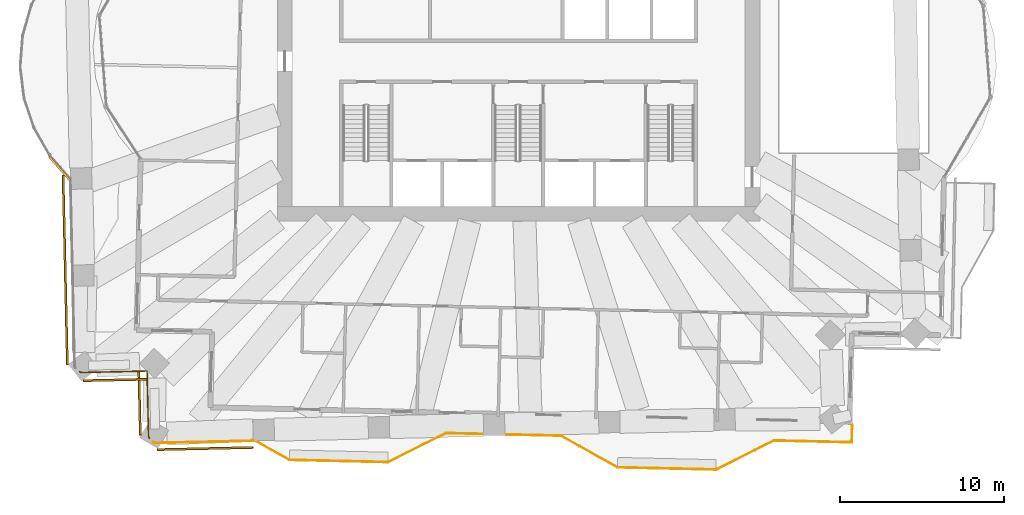
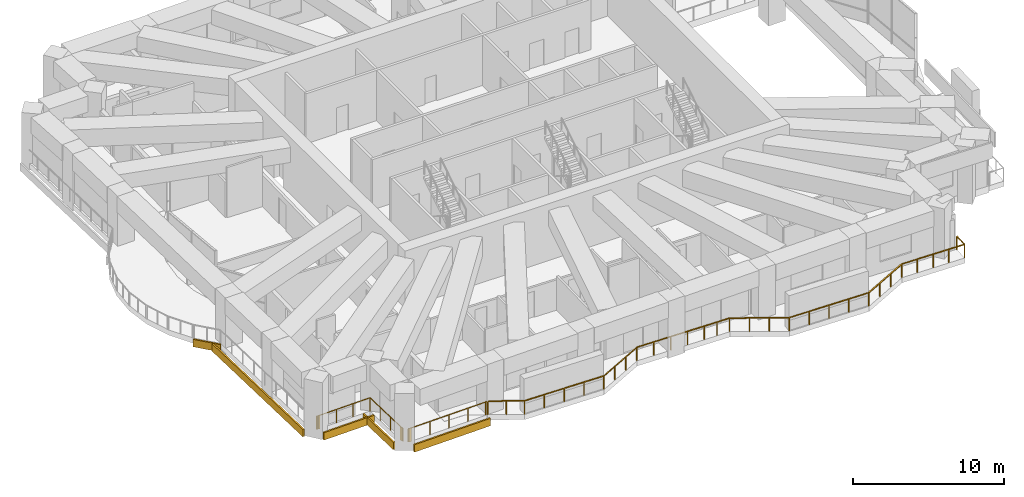
# One storey, part 13 of 17: 5 coverings, 3 railings.
"""IFC4 building model written with IfcOpenShell, lengths in metres."""

from ifc_helpers import new_model, si_unit, direction, frame, frame_2d, origin, origin_2d, place, context, subcontext, project, spatial, rectangle, extrude, material, layer, layer_set, type_object, element, save


model = new_model("IFC4")

# Units and contexts
model_context = context("Model", 3, precision=1e-05, world=origin(), true_north=direction((0.0, 1.0)))
body_context = subcontext(model_context, "Body", "Model", "MODEL_VIEW")
ifc_project = project(units=[si_unit("LENGTHUNIT", "METRE"), si_unit("AREAUNIT", "SQUARE_METRE"), si_unit("VOLUMEUNIT", "CUBIC_METRE"), si_unit("PLANEANGLEUNIT", "RADIAN"), si_unit("MASSUNIT", "GRAM", prefix="KILO")], contexts=[model_context])

# Site, building, storey
site_placement = place(None, origin())
site = spatial("IfcSite", under=ifc_project, at=site_placement, CompositionType="ELEMENT")
building_placement = place(site_placement, origin())
building = spatial("IfcBuilding", under=site, at=building_placement, Name="Mangrove Gate Tower", CompositionType="ELEMENT")
storey_placement = place(building_placement, frame((0.0, 0.0, 148.10009765625)))
storey = spatial("IfcBuildingStorey", under=building, at=storey_placement, Name="L37", CompositionType="ELEMENT", Elevation=148.10009765625)

# Railings
ifc_material_1 = material(Name="Stainless steel grade 316 with laminated glass infill", Category="steel")
railing_type = type_object("IfcRailingType", Name="Balcony guard 1100", PredefinedType="GUARDRAIL", material=ifc_material_1)
railing_1_placement = place(storey_placement, frame((-16.06689453125, -25.0791015625, 0.0)))
element("IfcRailing", 1, at=railing_1_placement, inside=storey, type_object=railing_type, Name="GUARD L37 S1", PredefinedType="GUARDRAIL", context=body_context, shape_type="SweptSolid", body=[
    extrude(rectangle(XDim=0.048095703125, YDim=0.048095703125, at=origin_2d()), frame((0.0, 0.0, 1.076171875), z_axis=(0.873382104306, -0.487035624855, 0.0), x_axis=(0.487035624855, 0.873382104306, 0.0)), (0.0, 0.0, 1.0), 2.41015625),
    extrude(rectangle(XDim=0.048095703125, YDim=0.048095703125, at=origin_2d()), frame((2.10498046875, -1.173828125, 1.076171875), z_axis=(0.999743073592, -0.022666865795, 0.0), x_axis=(0.022666865795, 0.999743073592, 0.0)), (0.0, 0.0, 1.0), 5.999267578125),
    extrude(rectangle(XDim=0.048095703125, YDim=0.048095703125, at=origin_2d()), frame((8.102783203125, -1.309814453125, 1.076171875), z_axis=(0.894476522376, 0.447114919141, 0.0), x_axis=(-0.447114919141, 0.894476522376, 0.0)), (0.0, 0.0, 1.0), 3.958740234375),
    extrude(rectangle(XDim=0.048095703125, YDim=0.048095703125, at=origin_2d()), frame((11.643798828125, 0.460205078125, 1.076171875), z_axis=(0.999740400278, -0.022784469527, 0.0), x_axis=(0.022784469527, 0.999740400278, 0.0)), (0.0, 0.0, 1.0), 5.100341796875),
    extrude(rectangle(XDim=0.048095703125, YDim=0.048095703125, at=origin_2d()), frame((16.742919921875, 0.343994140625, 1.076171875), z_axis=(0.999744349692, -0.022610512149, 0.0), x_axis=(0.022610512149, 0.999744349692, 0.0)), (0.0, 0.0, 1.0), 1.900390625),
    extrude(rectangle(XDim=0.048095703125, YDim=0.048095703125, at=origin_2d()), frame((18.642822265625, 0.301025390625, 1.076171875), z_axis=(0.87325689943, -0.48726008209, 0.0), x_axis=(0.48726008209, 0.87325689943, 0.0)), (0.0, 0.0, 1.0), 3.958740234375),
    extrude(rectangle(XDim=0.048095703125, YDim=0.048095703125, at=origin_2d()), frame((22.099853515625, -1.6279296875, 1.076171875), z_axis=(0.999743094499, -0.022665943652, 0.0), x_axis=(0.022665943652, 0.999743094499, 0.0)), (0.0, 0.0, 1.0), 5.99951171875),
    extrude(rectangle(XDim=0.048095703125, YDim=0.048095703125, at=origin_2d()), frame((28.097900390625, -1.763916015625, 1.076171875), z_axis=(0.894476522376, 0.447114919141, 0.0), x_axis=(-0.447114919141, 0.894476522376, 0.0)), (0.0, 0.0, 1.0), 3.958740234375),
    extrude(rectangle(XDim=0.048095703125, YDim=0.048095703125, at=origin_2d()), frame((31.638916015625, 0.006103515625, 1.076171875), z_axis=(0.999740850797, -0.022764693012, 0.0), x_axis=(0.022764693012, 0.999740850797, 0.0)), (0.0, 0.0, 1.0), 4.740234375),
    extrude(rectangle(XDim=0.048095703125, YDim=0.048095703125, at=origin_2d()), frame((36.3779296875, -0.101806640625, 1.076171875), z_axis=(0.02256969285, 0.999745272039, 0.0), x_axis=(-0.999745272039, 0.02256969285, 0.0)), (0.0, 0.0, 1.0), 1.06005859375),
    extrude(rectangle(XDim=0.0419921875, YDim=0.0419921875, at=origin_2d()), origin(), (0.0, 0.0, 1.0), 1.052001953125),
    extrude(rectangle(XDim=0.0419921875, YDim=0.0419921875, at=origin_2d()), frame((1.052490234375, -0.5869140625, 0.0)), (0.0, 0.0, 1.0), 1.052001953125),
    extrude(rectangle(XDim=0.0419921875, YDim=0.0419921875, at=origin_2d()), frame((2.10498046875, -1.173828125, 0.0)), (0.0, 0.0, 1.0), 1.052001953125),
    extrude(rectangle(XDim=0.0419921875, YDim=0.0419921875, at=origin_2d()), frame((3.6044921875, -1.207763671875, 0.0)), (0.0, 0.0, 1.0), 1.052001953125),
    extrude(rectangle(XDim=0.0419921875, YDim=0.0419921875, at=origin_2d()), frame((5.10400390625, -1.24169921875, 0.0)), (0.0, 0.0, 1.0), 1.052001953125),
    extrude(rectangle(XDim=0.0419921875, YDim=0.0419921875, at=origin_2d()), frame((6.603271484375, -1.27587890625, 0.0)), (0.0, 0.0, 1.0), 1.052001953125),
    extrude(rectangle(XDim=0.0419921875, YDim=0.0419921875, at=origin_2d()), frame((8.102783203125, -1.309814453125, 0.0)), (0.0, 0.0, 1.0), 1.052001953125),
    extrude(rectangle(XDim=0.0419921875, YDim=0.0419921875, at=origin_2d()), frame((9.283203125, -0.7197265625, 0.0)), (0.0, 0.0, 1.0), 1.052001953125),
    extrude(rectangle(XDim=0.0419921875, YDim=0.0419921875, at=origin_2d()), frame((10.46337890625, -0.1298828125, 0.0)), (0.0, 0.0, 1.0), 1.052001953125),
    extrude(rectangle(XDim=0.0419921875, YDim=0.0419921875, at=origin_2d()), frame((11.643798828125, 0.460205078125, 0.0)), (0.0, 0.0, 1.0), 1.052001953125),
    extrude(rectangle(XDim=0.0419921875, YDim=0.0419921875, at=origin_2d()), frame((12.91845703125, 0.43115234375, 0.0)), (0.0, 0.0, 1.0), 1.052001953125),
    extrude(rectangle(XDim=0.0419921875, YDim=0.0419921875, at=origin_2d()), frame((14.193359375, 0.402099609375, 0.0)), (0.0, 0.0, 1.0), 1.052001953125),
    extrude(rectangle(XDim=0.0419921875, YDim=0.0419921875, at=origin_2d()), frame((15.46826171875, 0.373046875, 0.0)), (0.0, 0.0, 1.0), 1.052001953125),
    extrude(rectangle(XDim=0.0419921875, YDim=0.0419921875, at=origin_2d()), frame((16.742919921875, 0.343994140625, 0.0)), (0.0, 0.0, 1.0), 1.052001953125),
    extrude(rectangle(XDim=0.0419921875, YDim=0.0419921875, at=origin_2d()), frame((17.69287109375, 0.322509765625, 0.0)), (0.0, 0.0, 1.0), 1.052001953125),
    extrude(rectangle(XDim=0.0419921875, YDim=0.0419921875, at=origin_2d()), frame((18.642822265625, 0.301025390625, 0.0)), (0.0, 0.0, 1.0), 1.052001953125),
    extrude(rectangle(XDim=0.0419921875, YDim=0.0419921875, at=origin_2d()), frame((19.795166015625, -0.342041015625, 0.0)), (0.0, 0.0, 1.0), 1.052001953125),
    extrude(rectangle(XDim=0.0419921875, YDim=0.0419921875, at=origin_2d()), frame((20.947509765625, -0.98486328125, 0.0)), (0.0, 0.0, 1.0), 1.052001953125),
    extrude(rectangle(XDim=0.0419921875, YDim=0.0419921875, at=origin_2d()), frame((22.099853515625, -1.6279296875, 0.0)), (0.0, 0.0, 1.0), 1.052001953125),
    extrude(rectangle(XDim=0.0419921875, YDim=0.0419921875, at=origin_2d()), frame((23.599365234375, -1.661865234375, 0.0)), (0.0, 0.0, 1.0), 1.052001953125),
    extrude(rectangle(XDim=0.0419921875, YDim=0.0419921875, at=origin_2d()), frame((25.098876953125, -1.69580078125, 0.0)), (0.0, 0.0, 1.0), 1.052001953125),
    extrude(rectangle(XDim=0.0419921875, YDim=0.0419921875, at=origin_2d()), frame((26.598388671875, -1.72998046875, 0.0)), (0.0, 0.0, 1.0), 1.052001953125),
    extrude(rectangle(XDim=0.0419921875, YDim=0.0419921875, at=origin_2d()), frame((28.097900390625, -1.763916015625, 0.0)), (0.0, 0.0, 1.0), 1.052001953125),
    extrude(rectangle(XDim=0.0419921875, YDim=0.0419921875, at=origin_2d()), frame((29.2783203125, -1.173828125, 0.0)), (0.0, 0.0, 1.0), 1.052001953125),
    extrude(rectangle(XDim=0.0419921875, YDim=0.0419921875, at=origin_2d()), frame((30.45849609375, -0.583984375, 0.0)), (0.0, 0.0, 1.0), 1.052001953125),
    extrude(rectangle(XDim=0.0419921875, YDim=0.0419921875, at=origin_2d()), frame((31.638916015625, 0.006103515625, 0.0)), (0.0, 0.0, 1.0), 1.052001953125),
    extrude(rectangle(XDim=0.0419921875, YDim=0.0419921875, at=origin_2d()), frame((32.82373046875, -0.02099609375, 0.0)), (0.0, 0.0, 1.0), 1.052001953125),
    extrude(rectangle(XDim=0.0419921875, YDim=0.0419921875, at=origin_2d()), frame((34.00830078125, -0.0478515625, 0.0)), (0.0, 0.0, 1.0), 1.052001953125),
    extrude(rectangle(XDim=0.0419921875, YDim=0.0419921875, at=origin_2d()), frame((35.193115234375, -0.07470703125, 0.0)), (0.0, 0.0, 1.0), 1.052001953125),
    extrude(rectangle(XDim=0.0419921875, YDim=0.0419921875, at=origin_2d()), frame((36.3779296875, -0.101806640625, 0.0)), (0.0, 0.0, 1.0), 1.052001953125),
    extrude(rectangle(XDim=0.0419921875, YDim=0.0419921875, at=origin_2d()), frame((36.40185546875, 0.9580078125, 0.0)), (0.0, 0.0, 1.0), 1.052001953125),
])
railing_2_placement = place(storey_placement, frame((-16.251953125, -25.0380859375, 0.0)))
element("IfcRailing", 2, at=railing_2_placement, inside=storey, type_object=railing_type, Name="GUARD L37 T3.5", PredefinedType="GUARDRAIL", context=body_context, shape_type="SweptSolid", body=[
    extrude(rectangle(XDim=0.048095703125, YDim=0.048095703125, at=origin_2d()), frame((0.0, 0.0, 1.076171875), z_axis=(0.869456557393, -0.49400940761, 0.0), x_axis=(0.49400940761, 0.869456557393, 0.0)), (0.0, 0.0, 1.0), 0.098876953125),
    extrude(rectangle(XDim=0.048095703125, YDim=0.048095703125, at=origin_2d()), frame((0.0859375, -0.048828125, 1.076171875), z_axis=(-0.999743804358, -0.022634611722, 0.0), x_axis=(0.022634611722, -0.999743804358, 0.0)), (0.0, 0.0, 1.0), 5.87841796875),
    extrude(rectangle(XDim=0.048095703125, YDim=0.048095703125, at=origin_2d()), frame((-5.791015625, -0.181884765625, 1.076171875), z_axis=(-0.999802043895, 0.019896558087, 0.0), x_axis=(-0.019896558087, -0.999802043895, 0.0)), (0.0, 0.0, 1.0), 0.049072265625),
    extrude(rectangle(XDim=0.048095703125, YDim=0.048095703125, at=origin_2d()), frame((-5.840087890625, -0.180908203125, 1.076171875), z_axis=(-0.989230543937, 0.146365743746, 0.0), x_axis=(-0.146365743746, -0.989230543937, 0.0)), (0.0, 0.0, 1.0), 0.04833984375),
    extrude(rectangle(XDim=0.048095703125, YDim=0.048095703125, at=origin_2d()), frame((-5.887939453125, -0.173828125, 1.076171875), z_axis=(-0.979021744494, 0.203755794539, 0.0), x_axis=(-0.203755794539, -0.979021744494, 0.0)), (0.0, 0.0, 1.0), 0.049072265625),
    extrude(rectangle(XDim=0.048095703125, YDim=0.048095703125, at=origin_2d()), frame((-5.93603515625, -0.163818359375, 1.076171875), z_axis=(-0.947696654134, 0.319172448283, 0.0), x_axis=(-0.319172448283, -0.947696654134, 0.0)), (0.0, 0.0, 1.0), 0.0498046875),
    extrude(rectangle(XDim=0.048095703125, YDim=0.048095703125, at=origin_2d()), frame((-5.983154296875, -0.14794921875, 1.076171875), z_axis=(-0.914917801573, 0.403640206576, 0.0), x_axis=(-0.403640206576, -0.914917801573, 0.0)), (0.0, 0.0, 1.0), 0.027099609375),
    extrude(rectangle(XDim=0.0419921875, YDim=0.0419921875, at=origin_2d()), origin(), (0.0, 0.0, 1.0), 1.052001953125),
    extrude(rectangle(XDim=0.0419921875, YDim=0.0419921875, at=origin_2d()), frame((0.0859375, -0.048828125, 0.0)), (0.0, 0.0, 1.0), 1.052001953125),
    extrude(rectangle(XDim=0.0419921875, YDim=0.0419921875, at=origin_2d()), frame((-1.38330078125, -0.08203125, 0.0)), (0.0, 0.0, 1.0), 1.052001953125),
    extrude(rectangle(XDim=0.0419921875, YDim=0.0419921875, at=origin_2d()), frame((-2.8525390625, -0.115234375, 0.0)), (0.0, 0.0, 1.0), 1.052001953125),
    extrude(rectangle(XDim=0.0419921875, YDim=0.0419921875, at=origin_2d()), frame((-4.32177734375, -0.148681640625, 0.0)), (0.0, 0.0, 1.0), 1.052001953125),
    extrude(rectangle(XDim=0.0419921875, YDim=0.0419921875, at=origin_2d()), frame((-5.791015625, -0.181884765625, 0.0)), (0.0, 0.0, 1.0), 1.052001953125),
    extrude(rectangle(XDim=0.0419921875, YDim=0.0419921875, at=origin_2d()), frame((-5.840087890625, -0.180908203125, 0.0)), (0.0, 0.0, 1.0), 1.052001953125),
    extrude(rectangle(XDim=0.0419921875, YDim=0.0419921875, at=origin_2d()), frame((-5.887939453125, -0.173828125, 0.0)), (0.0, 0.0, 1.0), 1.052001953125),
    extrude(rectangle(XDim=0.0419921875, YDim=0.0419921875, at=origin_2d()), frame((-5.93603515625, -0.163818359375, 0.0)), (0.0, 0.0, 1.0), 1.052001953125),
    extrude(rectangle(XDim=0.0419921875, YDim=0.0419921875, at=origin_2d()), frame((-5.983154296875, -0.14794921875, 0.0)), (0.0, 0.0, 1.0), 1.052001953125),
    extrude(rectangle(XDim=0.0419921875, YDim=0.0419921875, at=origin_2d()), frame((-6.008056640625, -0.136962890625, 0.0)), (0.0, 0.0, 1.0), 1.052001953125),
])
railing_3_placement = place(storey_placement, frame((-22.4990234375, -24.947021484375, 0.0)))
element("IfcRailing", 3, at=railing_3_placement, inside=storey, type_object=railing_type, Name="GUARD L37 T3.6", PredefinedType="GUARDRAIL", context=body_context, shape_type="SweptSolid", body=[
    extrude(rectangle(XDim=0.048095703125, YDim=0.048095703125, at=origin_2d()), frame((0.0, 0.0, 1.076171875), z_axis=(-0.43301833784, 0.901385111422, 0.0), x_axis=(-0.901385111422, -0.43301833784, 0.0)), (0.0, 0.0, 1.0), 0.027587890625),
    extrude(rectangle(XDim=0.048095703125, YDim=0.048095703125, at=origin_2d()), frame((-0.011962890625, 0.02490234375, 1.076171875), z_axis=(-0.364585106892, 0.931170070305, 0.0), x_axis=(-0.931170070305, -0.364585106892, 0.0)), (0.0, 0.0, 1.0), 0.049560546875),
    extrude(rectangle(XDim=0.048095703125, YDim=0.048095703125, at=origin_2d()), frame((-0.030029296875, 0.071044921875, 1.076171875), z_axis=(-0.266089874363, 0.963948224108, 0.0), x_axis=(-0.963948224108, -0.266089874363, 0.0)), (0.0, 0.0, 1.0), 0.048583984375),
    extrude(rectangle(XDim=0.048095703125, YDim=0.048095703125, at=origin_2d()), frame((-0.04296875, 0.117919921875, 1.076171875), z_axis=(-0.162010149383, 0.986789091699, 0.0), x_axis=(-0.986789091699, -0.162010149383, 0.0)), (0.0, 0.0, 1.0), 0.0498046875),
    extrude(rectangle(XDim=0.048095703125, YDim=0.048095703125, at=origin_2d()), frame((-0.051025390625, 0.1669921875, 1.076171875), z_axis=(-0.079350984209, 0.996846739125, 0.0), x_axis=(-0.996846739125, -0.079350984209, 0.0)), (0.0, 0.0, 1.0), 0.04931640625),
    extrude(rectangle(XDim=0.048095703125, YDim=0.048095703125, at=origin_2d()), frame((-0.054931640625, 0.216064453125, 1.076171875), z_axis=(-0.02267432233, 0.999742904504, 0.0), x_axis=(-0.999742904504, -0.02267432233, 0.0)), (0.0, 0.0, 1.0), 3.886962890625),
    extrude(rectangle(XDim=0.048095703125, YDim=0.048095703125, at=origin_2d()), frame((-0.14306640625, 4.10205078125, 1.076171875), z_axis=(-0.081362009455, 0.996684615823, 0.0), x_axis=(-0.996684615823, -0.081362009455, 0.0)), (0.0, 0.0, 1.0), 0.011962890625),
    extrude(rectangle(XDim=0.048095703125, YDim=0.048095703125, at=origin_2d()), frame((-0.14404296875, 4.114013671875, 1.076171875), z_axis=(-1.0, 0.0, 0.0), x_axis=(0.0, -1.0, 0.0)), (0.0, 0.0, 1.0), 0.010986328125),
    extrude(rectangle(XDim=0.048095703125, YDim=0.048095703125, at=origin_2d()), frame((-0.155029296875, 4.114013671875, 1.076171875), z_axis=(-0.999744454744, -0.022605866699, 0.0), x_axis=(0.022605866699, -0.999744454744, 0.0)), (0.0, 0.0, 1.0), 3.887939453125),
    extrude(rectangle(XDim=0.048095703125, YDim=0.048095703125, at=origin_2d()), frame((-4.0419921875, 4.026123046875, 1.076171875), z_axis=(-0.999802043895, 0.019896558087, 0.0), x_axis=(-0.019896558087, -0.999802043895, 0.0)), (0.0, 0.0, 1.0), 0.049072265625),
    extrude(rectangle(XDim=0.048095703125, YDim=0.048095703125, at=origin_2d()), frame((-4.091064453125, 4.027099609375, 1.076171875), z_axis=(-0.990341746674, 0.138647844534, 0.0), x_axis=(-0.138647844534, -0.990341746674, 0.0)), (0.0, 0.0, 1.0), 0.04931640625),
    extrude(rectangle(XDim=0.048095703125, YDim=0.048095703125, at=origin_2d()), frame((-4.139892578125, 4.033935546875, 1.076171875), z_axis=(-0.979021744494, 0.203755794539, 0.0), x_axis=(-0.203755794539, -0.979021744494, 0.0)), (0.0, 0.0, 1.0), 0.049072265625),
    extrude(rectangle(XDim=0.048095703125, YDim=0.048095703125, at=origin_2d()), frame((-4.18798828125, 4.0439453125, 1.076171875), z_axis=(-0.94354495287, 0.331244504731, 0.0), x_axis=(-0.331244504731, -0.94354495287, 0.0)), (0.0, 0.0, 1.0), 0.048583984375),
    extrude(rectangle(XDim=0.048095703125, YDim=0.048095703125, at=origin_2d()), frame((-4.23388671875, 4.06005859375, 1.076171875), z_axis=(-0.921797458045, 0.38767182815, 0.0), x_axis=(-0.38767182815, -0.921797458045, 0.0)), (0.0, 0.0, 1.0), 0.0283203125),
    extrude(rectangle(XDim=0.0419921875, YDim=0.0419921875, at=origin_2d()), origin(), (0.0, 0.0, 1.0), 1.052001953125),
    extrude(rectangle(XDim=0.0419921875, YDim=0.0419921875, at=origin_2d()), frame((-0.011962890625, 0.02490234375, 0.0)), (0.0, 0.0, 1.0), 1.052001953125),
    extrude(rectangle(XDim=0.0419921875, YDim=0.0419921875, at=origin_2d()), frame((-0.030029296875, 0.071044921875, 0.0)), (0.0, 0.0, 1.0), 1.052001953125),
    extrude(rectangle(XDim=0.0419921875, YDim=0.0419921875, at=origin_2d()), frame((-0.04296875, 0.117919921875, 0.0)), (0.0, 0.0, 1.0), 1.052001953125),
    extrude(rectangle(XDim=0.0419921875, YDim=0.0419921875, at=origin_2d()), frame((-0.051025390625, 0.1669921875, 0.0)), (0.0, 0.0, 1.0), 1.052001953125),
    extrude(rectangle(XDim=0.0419921875, YDim=0.0419921875, at=origin_2d()), frame((-0.054931640625, 0.216064453125, 0.0)), (0.0, 0.0, 1.0), 1.052001953125),
    extrude(rectangle(XDim=0.0419921875, YDim=0.0419921875, at=origin_2d()), frame((-0.084228515625, 1.511474609375, 0.0)), (0.0, 0.0, 1.0), 1.052001953125),
    extrude(rectangle(XDim=0.0419921875, YDim=0.0419921875, at=origin_2d()), frame((-0.11376953125, 2.806640625, 0.0)), (0.0, 0.0, 1.0), 1.052001953125),
    extrude(rectangle(XDim=0.0419921875, YDim=0.0419921875, at=origin_2d()), frame((-0.14306640625, 4.10205078125, 0.0)), (0.0, 0.0, 1.0), 1.052001953125),
    extrude(rectangle(XDim=0.0419921875, YDim=0.0419921875, at=origin_2d()), frame((-0.14404296875, 4.114013671875, 0.0)), (0.0, 0.0, 1.0), 1.052001953125),
    extrude(rectangle(XDim=0.0419921875, YDim=0.0419921875, at=origin_2d()), frame((-0.155029296875, 4.114013671875, 0.0)), (0.0, 0.0, 1.0), 1.052001953125),
    extrude(rectangle(XDim=0.0419921875, YDim=0.0419921875, at=origin_2d()), frame((-1.45068359375, 4.084716796875, 0.0)), (0.0, 0.0, 1.0), 1.052001953125),
    extrude(rectangle(XDim=0.0419921875, YDim=0.0419921875, at=origin_2d()), frame((-2.746337890625, 4.055419921875, 0.0)), (0.0, 0.0, 1.0), 1.052001953125),
    extrude(rectangle(XDim=0.0419921875, YDim=0.0419921875, at=origin_2d()), frame((-4.0419921875, 4.026123046875, 0.0)), (0.0, 0.0, 1.0), 1.052001953125),
    extrude(rectangle(XDim=0.0419921875, YDim=0.0419921875, at=origin_2d()), frame((-4.091064453125, 4.027099609375, 0.0)), (0.0, 0.0, 1.0), 1.052001953125),
    extrude(rectangle(XDim=0.0419921875, YDim=0.0419921875, at=origin_2d()), frame((-4.139892578125, 4.033935546875, 0.0)), (0.0, 0.0, 1.0), 1.052001953125),
    extrude(rectangle(XDim=0.0419921875, YDim=0.0419921875, at=origin_2d()), frame((-4.18798828125, 4.0439453125, 0.0)), (0.0, 0.0, 1.0), 1.052001953125),
    extrude(rectangle(XDim=0.0419921875, YDim=0.0419921875, at=origin_2d()), frame((-4.23388671875, 4.06005859375, 0.0)), (0.0, 0.0, 1.0), 1.052001953125),
    extrude(rectangle(XDim=0.0419921875, YDim=0.0419921875, at=origin_2d()), frame((-4.260009765625, 4.071044921875, 0.0)), (0.0, 0.0, 1.0), 1.052001953125),
])

# Coverings
ifc_material_2 = material(Name="Limestone", Category="masonry")
ifc_layer_1 = layer(ifc_material_2, 0.0400390625, Name="Limestone cladding")
ifc_material_3 = material(Name="Stainless steel anchors and cavity", Category="steel")
ifc_layer_2 = layer(ifc_material_3, 0.080078125, Name="Fixing cavity")
ifc_layer_set = layer_set([ifc_layer_1, ifc_layer_2], Name="Joint fascia cladding 120")
covering_type = type_object("IfcCoveringType", Name="Joint fascia cladding 120", PredefinedType="CLADDING", material=ifc_layer_set)
covering_1_placement = place(storey_placement, frame((-16.156982421875, -25.490966796875, -0.60009765625), z_axis=(0.0, 0.0, 1.0), x_axis=(-0.999743719226, -0.022638371571, 0.0)))
element("IfcCovering", 4, at=covering_1_placement, inside=storey, type_object=covering_type, Name="STONE FASCIA L37 TB43-5.1", PredefinedType="CLADDING", context=body_context, shape_type="SweptSolid", body=[
    extrude(rectangle(XDim=5.87744140625, YDim=0.1201171875, at=frame_2d((2.938720703125, 0.0))), origin(), (0.0, 0.0, 1.0), 0.60009765625),
])
for number, where, z_axis, x_axis, name in (
    (5, (-23.053955078125, -24.742919921875, -0.60009765625), (0.0, 0.0, 1.0), (-0.02266168035, 0.999743191146, 0.0), "STONE FASCIA L37 TB43-6.1"),
    (6, (-22.631103515625, -21.331787109375, -0.60009765625), (0.0, 0.0, 1.0), (-0.999738918682, -0.022849386682, 0.0), "STONE FASCIA L37 TB43-6.2"),
):
    element("IfcCovering", number, at=place(storey_placement, frame(where, z_axis=z_axis, x_axis=x_axis)), inside=storey, type_object=covering_type, Name=name, PredefinedType="CLADDING", context=body_context, shape_type="SweptSolid", body=[
        extrude(rectangle(XDim=3.89990234375, YDim=0.1201171875, at=frame_2d((1.949951171875, 0.0))), origin(), (0.0, 0.0, 1.0), 0.60009765625),
    ])
covering_2_placement = place(storey_placement, frame((-27.5, -20.44189453125, -0.60009765625), z_axis=(0.0, 0.0, 1.0), x_axis=(-0.022627819251, 0.999743958119, 0.0)))
element("IfcCovering", 7, at=covering_2_placement, inside=storey, type_object=covering_type, Name="STONE FASCIA L37 TB43-7.1", PredefinedType="CLADDING", context=body_context, shape_type="SweptSolid", body=[
    extrude(rectangle(XDim=11.555419921875, YDim=0.1201171875, at=frame_2d((5.77783203125, 0.0))), origin(), (0.0, 0.0, 1.0), 0.60009765625),
])
covering_3_placement = place(storey_placement, frame((-27.35205078125, -9.197998046875, -0.60009765625), z_axis=(0.0, 0.0, 1.0), x_axis=(-0.660367195698, 0.750942851917, 0.0)))
element("IfcCovering", 8, at=covering_3_placement, inside=storey, type_object=covering_type, Name="STONE FASCIA L37 TB43-7.2", PredefinedType="CLADDING", context=body_context, shape_type="SweptSolid", body=[
    extrude(rectangle(XDim=1.900390625, YDim=0.1201171875, at=frame_2d((0.9501953125, 0.0))), origin(), (0.0, 0.0, 1.0), 0.60009765625),
])

save(model, "model.ifc")
